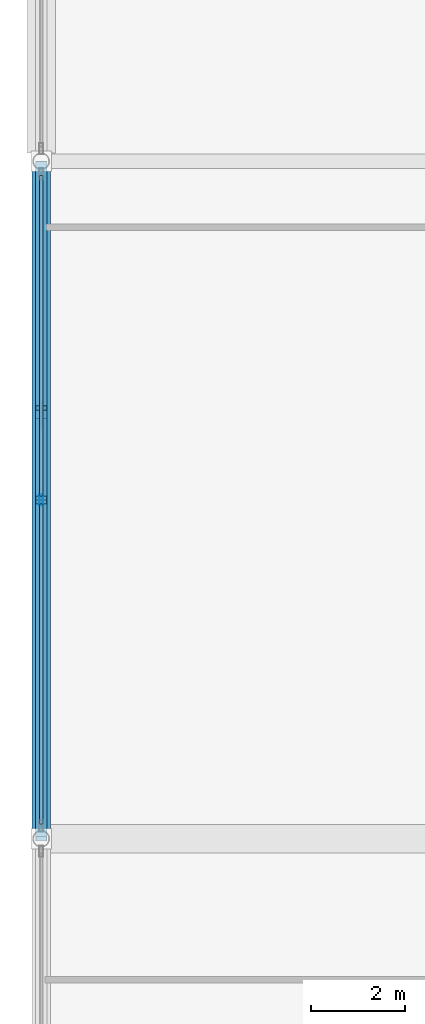
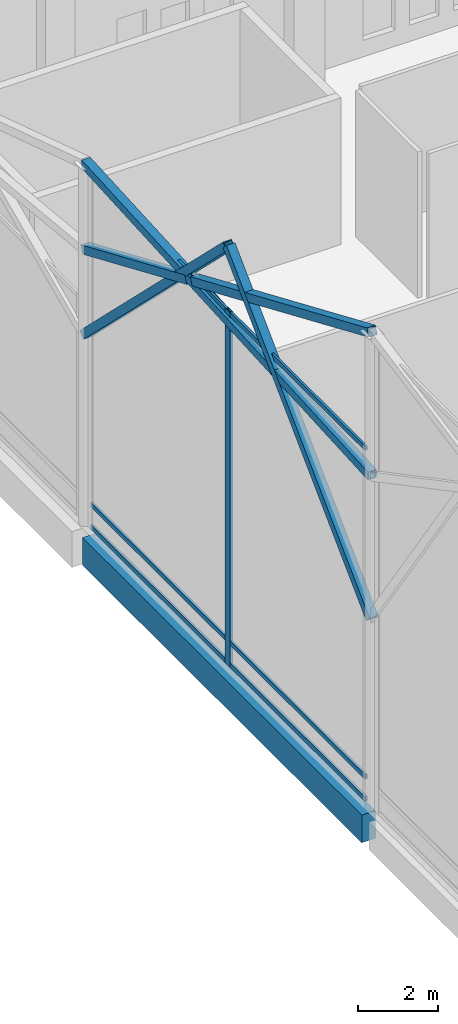
# One storey, part 61 of 220: 12 members, 1 beam, 1 element without a shape of its own.
"""IFC4 building model written with IfcOpenShell, lengths in metres."""

from ifc_helpers import new_model, si_unit, direction, frame, origin, origin_2d, place, context, subcontext, project, spatial, rectangle, hollow_rectangle, extrude, material, material_profile, profile_set, type_object, element, aggregate, save


model = new_model("IFC4")

# Units and contexts
model_context = context("Model", 3, precision=1e-05, world=origin(), true_north=direction((0.0, 1.0)))
body_context = subcontext(model_context, "Body", "Model", "MODEL_VIEW")
ifc_project = project(units=[si_unit("LENGTHUNIT", "METRE"), si_unit("AREAUNIT", "SQUARE_METRE"), si_unit("VOLUMEUNIT", "CUBIC_METRE"), si_unit("PLANEANGLEUNIT", "RADIAN"), si_unit("MASSUNIT", "GRAM", prefix="KILO")], contexts=[model_context])

# Site, building, storey
site_placement = place(None, origin())
site = spatial("IfcSite", under=ifc_project, at=site_placement, CompositionType="ELEMENT")
building_placement = place(site_placement, origin())
building = spatial("IfcBuilding", under=site, at=building_placement, Name="Cendralis Lancet Convention Centre", CompositionType="ELEMENT")
storey_placement = place(building_placement, frame((0.0, 0.0, 5.39990234375)))
storey = spatial("IfcBuildingStorey", under=building, at=storey_placement, Name="L01", CompositionType="ELEMENT", Elevation=5.39990234375)

# Curtain wall, members
ifc_material_1 = material(Name="Anodised bronze architectural aluminium", Category="aluminium")
curtain_wall_type = type_object("IfcCurtainWallType", Name="ARC-CW-GB02", PredefinedType="USERDEFINED", material=ifc_material_1)
curtain_wall_placement = place(storey_placement, origin())
curtain_wall = element("IfcCurtainWall", 1, at=curtain_wall_placement, inside=storey, type_object=curtain_wall_type, Name="L01 Curtain Wall CW-GB2 #103", ObjectType="CURTAIN WALL", PredefinedType="USERDEFINED")
ifc_material_profile_1 = material_profile(ifc_material_1, hollow_rectangle(XDim=0.080078125, YDim=0.239990234375, WallThickness=0.0048828125, at=origin_2d()), Name="AL-MULL 80x240x5.0")
ifc_profile_set_1 = profile_set([ifc_material_profile_1], Name="Anodised bronze architectural aluminium")
member_type_1 = type_object("IfcMemberType", Name="ARC-CW-ML03", PredefinedType="MULLION", material=ifc_profile_set_1)
member_1_placement = place(storey_placement, frame((0.0, 115.199951171875, 0.0), z_axis=(0.0, 0.0, 1.0), x_axis=(1.0, 0.0, 0.0)))
member_1 = element("IfcMember", 2, at=member_1_placement, type_object=member_type_1, Name="Mullion CW2-CW-GB2-L01-103-M1", PredefinedType="MULLION", context=body_context, shape_type="SweptSolid", body=[
    extrude(hollow_rectangle(XDim=0.080078125, YDim=0.239990234375, WallThickness=0.0048828125, at=origin_2d()), origin(), (0.0, 0.0, 1.0), 10.901123046875),
])
ifc_material_profile_2 = material_profile(ifc_material_1, hollow_rectangle(XDim=0.070068359375, YDim=0.139892578125, WallThickness=0.00390625, at=origin_2d()), Name="AL-TRAN 70x140x4.0")
ifc_profile_set_2 = profile_set([ifc_material_profile_2], Name="Anodised bronze architectural aluminium")
member_type_2 = type_object("IfcMemberType", Name="ARC-CW-TR02", PredefinedType="USERDEFINED", material=ifc_profile_set_2)
member_2_placement = place(storey_placement, frame((0.0, 108.307861328125, 0.070068359375), z_axis=(0.0, 1.0, 0.0), x_axis=(-1.0, 0.0, 0.0)))
member_2 = element("IfcMember", 3, at=member_2_placement, type_object=member_type_2, Name="Transom CW2-CW-GB2-L01-103-T0BOT", ObjectType="TRANSOM", PredefinedType="USERDEFINED", context=body_context, shape_type="SweptSolid", body=[
    extrude(hollow_rectangle(XDim=0.070068359375, YDim=0.139892578125, WallThickness=0.00390625, at=origin_2d()), origin(), (0.0, 0.0, 1.0), 6.812255859375),
])
member_3_placement = place(storey_placement, frame((0.0, 108.307861328125, 0.75), z_axis=(0.0, 1.0, 0.0), x_axis=(-1.0, 0.0, 0.0)))
member_3 = element("IfcMember", 4, at=member_3_placement, type_object=member_type_2, Name="Transom CW2-CW-GB2-L01-103-T0MID", ObjectType="TRANSOM", PredefinedType="USERDEFINED", context=body_context, shape_type="SweptSolid", body=[
    extrude(hollow_rectangle(XDim=0.070068359375, YDim=0.139892578125, WallThickness=0.00390625, at=origin_2d()), origin(), (0.0, 0.0, 1.0), 6.812255859375),
])
member_4_placement = place(storey_placement, frame((0.0, 108.307861328125, 10.8310546875), z_axis=(0.0, 1.0, 0.0), x_axis=(-1.0, 0.0, 0.0)))
member_4 = element("IfcMember", 5, at=member_4_placement, type_object=member_type_2, Name="Transom CW2-CW-GB2-L01-103-T0TOP", ObjectType="TRANSOM", PredefinedType="USERDEFINED", context=body_context, shape_type="SweptSolid", body=[
    extrude(hollow_rectangle(XDim=0.070068359375, YDim=0.139892578125, WallThickness=0.00390625, at=origin_2d()), origin(), (0.0, 0.0, 1.0), 6.812255859375),
])
member_5_placement = place(storey_placement, frame((0.0, 115.280029296875, 0.070068359375), z_axis=(0.0, 1.0, 0.0), x_axis=(-1.0, 0.0, 0.0)))
member_5 = element("IfcMember", 6, at=member_5_placement, type_object=member_type_2, Name="Transom CW2-CW-GB2-L01-103-T1BOT", ObjectType="TRANSOM", PredefinedType="USERDEFINED", context=body_context, shape_type="SweptSolid", body=[
    extrude(hollow_rectangle(XDim=0.070068359375, YDim=0.139892578125, WallThickness=0.00390625, at=origin_2d()), origin(), (0.0, 0.0, 1.0), 6.812255859375),
])
member_6_placement = place(storey_placement, frame((0.0, 115.280029296875, 0.75), z_axis=(0.0, 1.0, 0.0), x_axis=(-1.0, 0.0, 0.0)))
member_6 = element("IfcMember", 7, at=member_6_placement, type_object=member_type_2, Name="Transom CW2-CW-GB2-L01-103-T1MID", ObjectType="TRANSOM", PredefinedType="USERDEFINED", context=body_context, shape_type="SweptSolid", body=[
    extrude(hollow_rectangle(XDim=0.070068359375, YDim=0.139892578125, WallThickness=0.00390625, at=origin_2d()), origin(), (0.0, 0.0, 1.0), 6.812255859375),
])
member_7_placement = place(storey_placement, frame((0.0, 115.280029296875, 10.8310546875), z_axis=(0.0, 1.0, 0.0), x_axis=(-1.0, 0.0, 0.0)))
member_7 = element("IfcMember", 8, at=member_7_placement, type_object=member_type_2, Name="Transom CW2-CW-GB2-L01-103-T1TOP", ObjectType="TRANSOM", PredefinedType="USERDEFINED", context=body_context, shape_type="SweptSolid", body=[
    extrude(hollow_rectangle(XDim=0.070068359375, YDim=0.139892578125, WallThickness=0.00390625, at=origin_2d()), origin(), (0.0, 0.0, 1.0), 6.812255859375),
])
aggregate(curtain_wall, [member_1, member_2, member_3, member_4, member_5, member_6, member_7])

# Members
ifc_material_2 = material(Name="Steel S355", Category="steel")
ifc_material_profile_3 = material_profile(ifc_material_2, hollow_rectangle(XDim=0.25, YDim=0.25, WallThickness=0.012451171875, at=origin_2d()), Name="SHS 250x250x12.5")
ifc_profile_set_3 = profile_set([ifc_material_profile_3], Name="Steel S355")
member_type_3 = type_object("IfcMemberType", Name="STR-BR-GB01", PredefinedType="BRACE", material=ifc_profile_set_3)
for number, where, z_axis, x_axis, name in (
    (9, (0.0, 108.0, 5.800048828125), (0.0, 0.712944916229, 0.701220041373), (-1.0, 0.0, 0.0), "Exhibition Gable Gothic Ogival Tracery Rib GBR1 #021"),
    (10, (0.0, 122.39990234375, 5.800048828125), (0.0, -0.712944916229, 0.701220041373), (1.0, 0.0, 0.0), "Exhibition Gable Gothic Ogival Tracery Rib GBR1 #022"),
):
    element("IfcMember", number, at=place(storey_placement, frame(where, z_axis=z_axis, x_axis=x_axis)), inside=storey, type_object=member_type_3, Name=name, PredefinedType="BRACE", context=body_context, shape_type="SweptSolid", body=[
        extrude(hollow_rectangle(XDim=0.25, YDim=0.25, WallThickness=0.012451171875, at=origin_2d()), origin(), (0.0, 0.0, 1.0), 10.098876953125),
    ])
member_8_placement = place(storey_placement, frame((0.0, 108.0, 10.203125), z_axis=(0.0, 0.998270928095, 0.05878055904), x_axis=(-1.0, 0.0, 0.0)))
element("IfcMember", 11, at=member_8_placement, inside=storey, type_object=member_type_3, Name="Exhibition Gable Gothic Ogival Tracery Rib GBR1 #023", PredefinedType="BRACE", context=body_context, shape_type="SweptSolid", body=[
    extrude(hollow_rectangle(XDim=0.25, YDim=0.25, WallThickness=0.012451171875, at=origin_2d()), origin(), (0.0, 0.0, 1.0), 14.4248046875),
])
member_9_placement = place(storey_placement, frame((0.0, 122.39990234375, 8.425537109375), z_axis=(0.0, -0.918923679087, 0.394435383824), x_axis=(1.0, 0.0, 0.0)))
element("IfcMember", 12, at=member_9_placement, inside=storey, type_object=member_type_3, Name="Exhibition Gable Split X-Brace Rib GBR1 #024", PredefinedType="BRACE", context=body_context, shape_type="SweptSolid", body=[
    extrude(hollow_rectangle(XDim=0.25, YDim=0.25, WallThickness=0.012451171875, at=origin_2d()), origin(), (0.0, 0.0, 1.0), 5.708740234375),
])
member_10_placement = place(storey_placement, frame((0.0, 116.8876953125, 10.79150390625), z_axis=(0.0, -0.918932074536, 0.394415824212), x_axis=(1.0, 0.0, 0.0)))
element("IfcMember", 13, at=member_10_placement, inside=storey, type_object=member_type_3, Name="Exhibition Gable Split X-Brace Rib GBR1 #025", PredefinedType="BRACE", context=body_context, shape_type="SweptSolid", body=[
    extrude(hollow_rectangle(XDim=0.25, YDim=0.25, WallThickness=0.012451171875, at=origin_2d()), origin(), (0.0, 0.0, 1.0), 9.671875),
])

# Beam
ifc_material_3 = material(Name="Concrete G40 (C40/50)", Category="concrete")
ifc_material_profile_4 = material_profile(ifc_material_3, rectangle(XDim=0.39990234375, YDim=0.85009765625, at=origin_2d()), Name="RCB 400x850")
ifc_profile_set_4 = profile_set([ifc_material_profile_4], Name="Concrete G40 (C40/50)")
beam_type = type_object("IfcBeamType", Name="STR-SP-SP02", PredefinedType="SPANDREL", material=ifc_profile_set_4)
beam_placement = place(storey_placement, frame((0.0, 108.177734375, -0.704833984375), z_axis=(0.0, 1.0, 0.0), x_axis=(-1.0, 0.0, 0.0)))
element("IfcBeam", 14, at=beam_placement, inside=storey, type_object=beam_type, Name="L01 Beam SP02 #1283", PredefinedType="SPANDREL", context=body_context, shape_type="SweptSolid", body=[
    extrude(rectangle(XDim=0.39990234375, YDim=0.85009765625, at=origin_2d()), origin(), (0.0, 0.0, 1.0), 14.04443359375),
])

save(model, "model.ifc")
